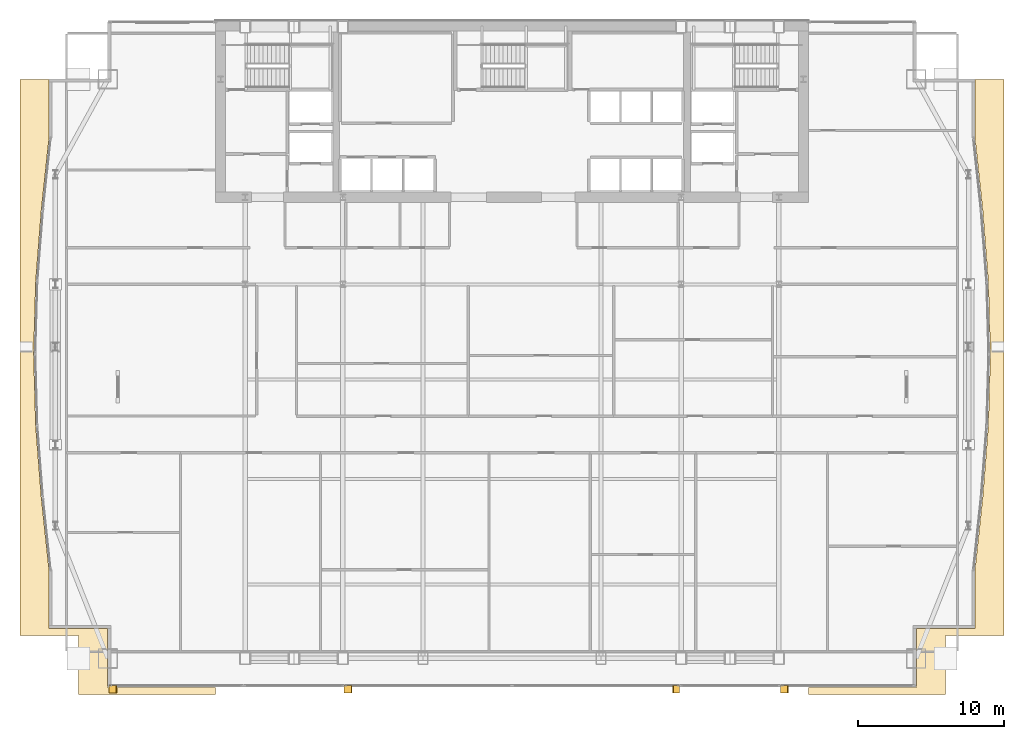
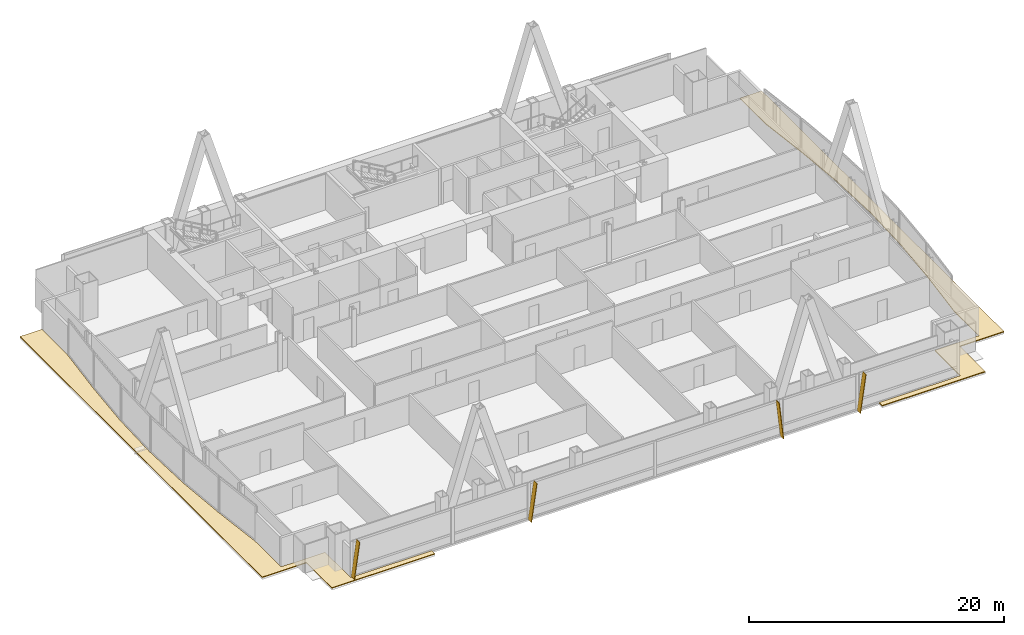
# One storey, part 29 of 30: 4 shading devices, 2 coverings.
"""IFC4 building model written with IfcOpenShell, lengths in metres."""

from ifc_helpers import new_model, si_unit, direction, frame, origin, place, context, subcontext, project, spatial, polyline, outline, extrude, material, layer, layer_set, type_object, element, save


model = new_model("IFC4")

# Units and contexts
model_context = context("Model", 3, precision=1e-05, world=origin(), true_north=direction((0.0, 1.0)))
body_context = subcontext(model_context, "Body", "Model", "MODEL_VIEW")
ifc_project = project(units=[si_unit("LENGTHUNIT", "METRE"), si_unit("AREAUNIT", "SQUARE_METRE"), si_unit("VOLUMEUNIT", "CUBIC_METRE"), si_unit("PLANEANGLEUNIT", "RADIAN"), si_unit("MASSUNIT", "GRAM", prefix="KILO")], contexts=[model_context])

# Site, building, storey
site_placement = place(None, origin())
site = spatial("IfcSite", under=ifc_project, at=site_placement, CompositionType="ELEMENT")
building_placement = place(site_placement, origin())
building = spatial("IfcBuilding", under=site, at=building_placement, Name="Khoronbel Lancet Exchange", CompositionType="ELEMENT")
storey_placement = place(building_placement, frame((0.0, 0.0, 136.199951171875)))
storey = spatial("IfcBuildingStorey", under=building, at=storey_placement, Name="L33", CompositionType="ELEMENT", Elevation=136.199951171875)

# Coverings
ifc_material_1 = material(Name="Standing-Seam Bronze & SBS Waterproofing Assembly", Category="aluminium")
ifc_layer_1 = layer(ifc_material_1, 0.080078125, Name="Standing-Seam Bronze & SBS Waterproofing Assembly")
ifc_layer_set_1 = layer_set([ifc_layer_1], Name="Standing-Seam Bronze & SBS Waterproofing Assembly")
covering_type = type_object("IfcCoveringType", Name="COV-ROOF1", PredefinedType="ROOFING", material=ifc_layer_set_1)
covering_1_placement = place(storey_placement, origin())
element("IfcCovering", 1, at=covering_1_placement, inside=storey, type_object=covering_type, Name="Level L33 setback roof slab 1 insulated roofing assembly", PredefinedType="ROOFING", context=body_context, shape_type="SweptSolid", body=[
    extrude(outline(polyline([(6.85009765625, 7.699951171875), (6.85009765625, 11.699951171875), (2.85009765625, 11.699951171875), (2.85009765625, 15.699951171875), (2.85009765625, 45.699951171875), (2.85009765625, 49.699951171875), (4.830078125, 49.699951171875), (4.830078125, 45.701171875), (4.30517578125, 40.785400390625), (4.30517578125, 40.784912109375), (3.9208984375, 35.868408203125), (3.920654296875, 35.8671875), (3.780029296875, 30.95068359375), (3.780029296875, 30.949462890625), (3.920654296875, 26.03271484375), (3.9208984375, 26.03173828125), (4.30517578125, 21.114990234375), (4.30517578125, 21.114501953125), (4.830078125, 16.198974609375), (4.830078125, 12.199951171875), (4.830078125, 12.197998046875), (4.830322265625, 12.196044921875), (4.830810546875, 12.194091796875), (4.83154296875, 12.1923828125), (4.83251953125, 12.190673828125), (4.83349609375, 12.18896484375), (4.83447265625, 12.187255859375), (4.8359375, 12.185791015625), (4.83740234375, 12.1845703125), (4.8388671875, 12.183349609375), (4.840576171875, 12.182373046875), (4.84228515625, 12.181396484375), (4.84423828125, 12.180908203125), (4.84619140625, 12.180419921875), (4.847900390625, 12.18017578125), (4.85009765625, 12.179931640625), (8.830078125, 12.179931640625), (8.830078125, 8.199951171875), (8.830078125, 8.197998046875), (8.830322265625, 8.196044921875), (8.830810546875, 8.194091796875), (8.83154296875, 8.1923828125), (8.83251953125, 8.190673828125), (8.83349609375, 8.18896484375), (8.83447265625, 8.187255859375), (8.8359375, 8.185791015625), (8.83740234375, 8.1845703125), (8.8388671875, 8.183349609375), (8.840576171875, 8.182373046875), (8.84228515625, 8.181396484375), (8.84423828125, 8.180908203125), (8.84619140625, 8.180419921875), (8.847900390625, 8.18017578125), (8.85009765625, 8.179931640625), (16.199951171875, 8.179931640625), (16.199951171875, 7.699951171875), (6.85009765625, 7.699951171875)])), origin(), (0.0, 0.0, 1.0), 0.080078125),
])
covering_2_placement = place(storey_placement, origin())
element("IfcCovering", 2, at=covering_2_placement, inside=storey, type_object=covering_type, Name="Level L33 setback roof slab 2 insulated roofing assembly", PredefinedType="ROOFING", context=body_context, shape_type="SweptSolid", body=[
    extrude(outline(polyline([(70.050048828125, 45.699951171875), (70.050048828125, 15.699951171875), (70.050048828125, 11.699951171875), (66.050048828125, 11.699951171875), (66.050048828125, 7.699951171875), (56.699951171875, 7.699951171875), (56.699951171875, 8.179931640625), (64.050048828125, 8.179931640625), (64.052001953125, 8.18017578125), (64.053955078125, 8.180419921875), (64.055908203125, 8.180908203125), (64.0576171875, 8.181396484375), (64.059326171875, 8.182373046875), (64.06103515625, 8.183349609375), (64.062744140625, 8.1845703125), (64.064208984375, 8.185791015625), (64.0654296875, 8.187255859375), (64.066650390625, 8.18896484375), (64.067626953125, 8.190673828125), (64.068603515625, 8.1923828125), (64.069091796875, 8.194091796875), (64.069580078125, 8.196044921875), (64.06982421875, 8.197998046875), (64.070068359375, 8.199951171875), (64.070068359375, 12.179931640625), (68.050048828125, 12.179931640625), (68.052001953125, 12.18017578125), (68.053955078125, 12.180419921875), (68.055908203125, 12.180908203125), (68.0576171875, 12.181396484375), (68.059326171875, 12.182373046875), (68.06103515625, 12.183349609375), (68.062744140625, 12.1845703125), (68.064208984375, 12.185791015625), (68.0654296875, 12.187255859375), (68.066650390625, 12.18896484375), (68.067626953125, 12.190673828125), (68.068603515625, 12.1923828125), (68.069091796875, 12.194091796875), (68.069580078125, 12.196044921875), (68.06982421875, 12.197998046875), (68.070068359375, 12.199951171875), (68.070068359375, 16.198974609375), (68.594970703125, 21.114501953125), (68.594970703125, 21.114990234375), (68.979248046875, 26.03173828125), (68.979248046875, 26.03271484375), (69.1201171875, 30.949462890625), (69.1201171875, 30.95068359375), (68.979248046875, 35.8671875), (68.979248046875, 35.868408203125), (68.594970703125, 40.784912109375), (68.594970703125, 40.785400390625), (68.070068359375, 45.701171875), (68.070068359375, 49.699951171875), (70.050048828125, 49.699951171875), (70.050048828125, 45.699951171875)])), origin(), (0.0, 0.0, 1.0), 0.080078125),
])

# Shading devices
ifc_material_2 = material(Name="Bronze-Anodised Aluminium 6063-T6", Category="aluminium")
ifc_layer_2 = layer(ifc_material_2, 0.054931640625, Name="Bronze-Anodised Aluminium 6063-T6")
ifc_layer_set_2 = layer_set([ifc_layer_2], Name="Bronze-Anodised Aluminium 6063-T6")
shading_device_type = type_object("IfcShadingDeviceType", Name="SHD-FIN1", PredefinedType="USERDEFINED", material=ifc_layer_set_2)
for number, where, z_axis, x_axis, name in (
    (3, (8.91259765625, 8.31005859375, -0.079833984375), (-0.990091586433, 0.0, 0.14042311232), (0.0, -1.0, 0.0), "Slanted bronze solar fin CW-L33-SWV-0"),
    (4, (24.972412109375, 8.31005859375, -0.079833984375), (-0.990082143633, 0.0, 0.140489675274), (0.0, -1.0, 0.0), "Slanted bronze solar fin CW-L33-SCV-0"),
):
    element("IfcShadingDevice", number, at=place(storey_placement, frame(where, z_axis=z_axis, x_axis=x_axis)), inside=storey, type_object=shading_device_type, Name=name, ObjectType="FIN", PredefinedType="USERDEFINED", context=body_context, shape_type="SweptSolid", body=[
        extrude(outline(polyline([(0.0, 0.0), (0.52001953125, 0.0), (0.52001953125, 3.595458984375), (0.0, 3.595458984375), (0.0, 0.0)])), origin(), (0.0, 0.0, -1.0), 0.054931640625),
    ])
shading_device_1_placement = place(storey_placement, frame((47.87255859375, 8.31005859375, -0.079833984375), z_axis=(0.99389951861, 0.0, 0.110289378034), x_axis=(0.0, -1.0, 0.0)))
element("IfcShadingDevice", 5, at=shading_device_1_placement, inside=storey, type_object=shading_device_type, Name="Slanted bronze solar fin CW-L33-SCV-2", ObjectType="FIN", PredefinedType="USERDEFINED", context=body_context, shape_type="SweptSolid", body=[
    extrude(outline(polyline([(0.0, 0.0), (0.52001953125, 0.0), (0.52001953125, -3.58154296875), (0.0, -3.58154296875), (0.0, 0.0)])), origin(), (0.0, 0.0, -1.0), 0.054931640625),
])
shading_device_2_placement = place(storey_placement, frame((54.7724609375, 8.31005859375, -0.079833984375), z_axis=(-0.990082143633, 0.0, 0.140489675274), x_axis=(0.0, -1.0, 0.0)))
element("IfcShadingDevice", 6, at=shading_device_2_placement, inside=storey, type_object=shading_device_type, Name="Slanted bronze solar fin CW-L33-SEV-0", ObjectType="FIN", PredefinedType="USERDEFINED", context=body_context, shape_type="SweptSolid", body=[
    extrude(outline(polyline([(0.0, 0.0), (0.52001953125, 0.0), (0.52001953125, 3.595458984375), (0.0, 3.595458984375), (0.0, 0.0)])), origin(), (0.0, 0.0, -1.0), 0.054931640625),
])

save(model, "model.ifc")
